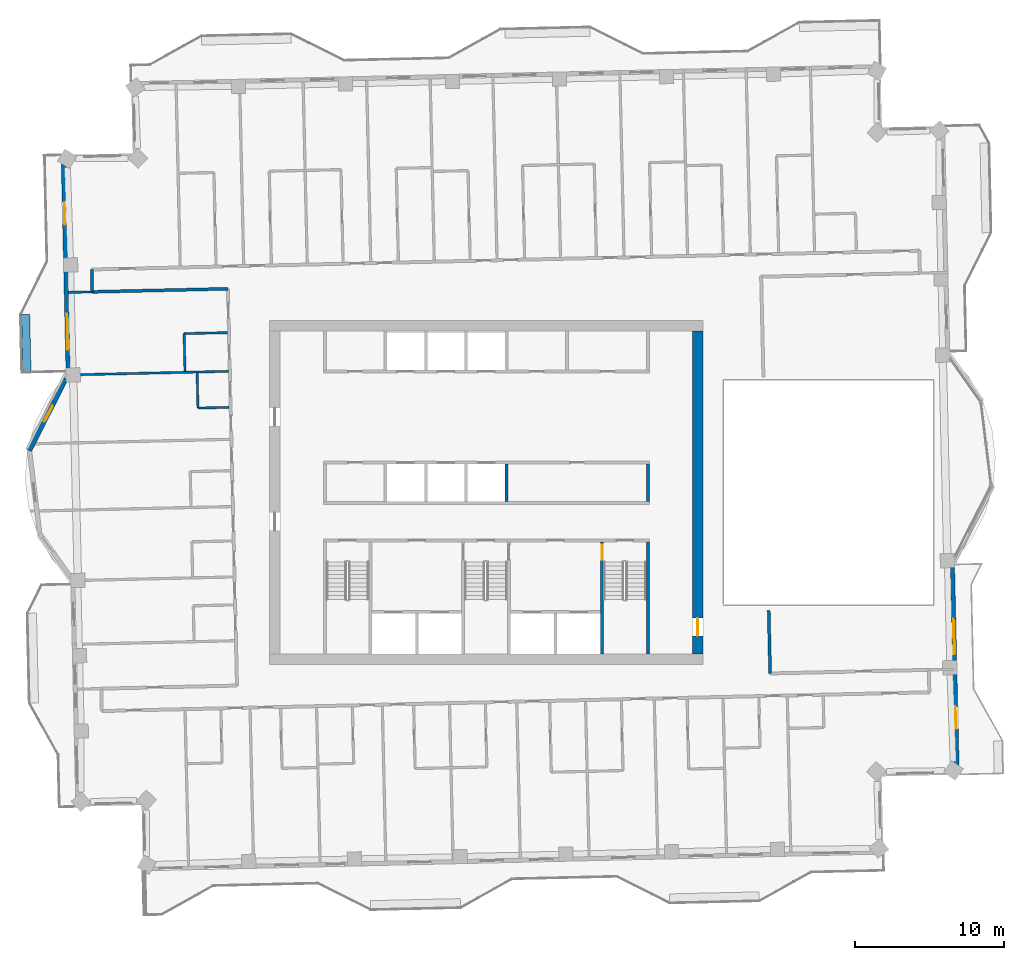
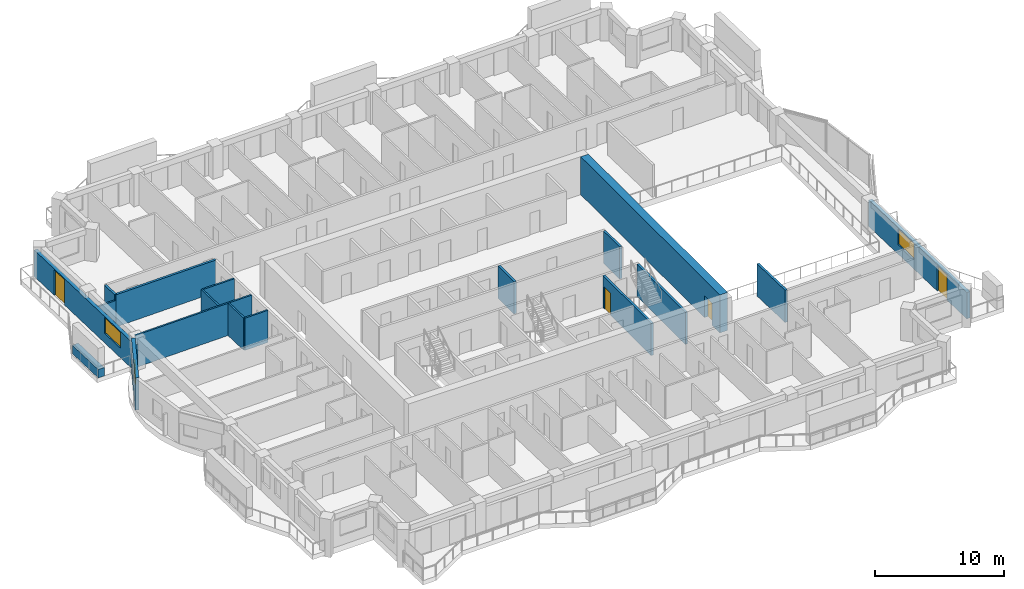
# One storey, part 12 of 20: 18 walls, 4 doors, 3 windows, 7 openings.
"""IFC4 building model written with IfcOpenShell, lengths in metres."""

from ifc_helpers import new_model, si_unit, direction, frame, frame_2d, origin, place, context, subcontext, project, spatial, rectangle, extrude, material, layer, layer_set, type_object, element, fill, save


model = new_model("IFC4")

# Units and contexts
model_context = context("Model", 3, precision=1e-05, world=origin(), true_north=direction((0.0, 1.0)))
body_context = subcontext(model_context, "Body", "Model", "MODEL_VIEW")
ifc_project = project(units=[si_unit("LENGTHUNIT", "METRE"), si_unit("AREAUNIT", "SQUARE_METRE"), si_unit("VOLUMEUNIT", "CUBIC_METRE"), si_unit("PLANEANGLEUNIT", "RADIAN"), si_unit("MASSUNIT", "GRAM", prefix="KILO")], contexts=[model_context])

# Site, building, storey
site_placement = place(None, origin())
site = spatial("IfcSite", under=ifc_project, at=site_placement, CompositionType="ELEMENT")
building_placement = place(site_placement, origin())
building = spatial("IfcBuilding", under=site, at=building_placement, Name="Mangrove Gate Tower", CompositionType="ELEMENT")
storey_placement = place(building_placement, frame((0.0, 0.0, 294.300048828125)))
storey = spatial("IfcBuildingStorey", under=building, at=storey_placement, Name="L75", CompositionType="ELEMENT", Elevation=294.300048828125)

# Walls
ifc_material_1 = material(Name="Concrete C32/40", Category="concrete")
ifc_layer_1 = layer(ifc_material_1, 0.199951171875)
ifc_layer_set_1 = layer_set([ifc_layer_1], Name="Core room wall 200 C32/40")
wall_type_1 = type_object("IfcWallType", Name="Core room wall 200 C32/40", PredefinedType="STANDARD", material=ifc_layer_set_1)
wall_1_placement = place(storey_placement, frame((10.800048828125, -0.60009765625, 0.0), z_axis=(0.0, 0.0, 1.0), x_axis=(0.0, 1.0, 0.0)))
element("IfcWall", 1, at=wall_1_placement, inside=storey, type_object=wall_type_1, Name="WALL-L75-CORE-24", PredefinedType="STANDARD", context=body_context, shape_type="SweptSolid", body=[
    extrude(rectangle(XDim=2.5, YDim=0.199951171875, at=frame_2d((1.25, 0.0))), origin(), (0.0, 0.0, 1.0), 3.050048828125),
])
ifc_material_2 = material(Name="Concrete C50/60", Category="concrete")
ifc_layer_2 = layer(ifc_material_2, 0.199951171875)
ifc_layer_set_2 = layer_set([ifc_layer_2], Name="Core shaft wall 200 C50/60")
wall_type_2 = type_object("IfcWallType", Name="Core shaft wall 200 C50/60", PredefinedType="SHEAR", material=ifc_layer_set_2)
wall_2_placement = place(storey_placement, frame((1.35009765625, -0.60009765625, 0.0), z_axis=(0.0, 0.0, 1.0), x_axis=(0.0, 1.0, 0.0)))
element("IfcWall", 2, at=wall_2_placement, inside=storey, type_object=wall_type_2, Name="WALL-L75-CORE-23", PredefinedType="SHEAR", context=body_context, shape_type="SweptSolid", body=[
    extrude(rectangle(XDim=2.5, YDim=0.199951171875, at=frame_2d((1.25, 0.0))), origin(), (0.0, 0.0, 1.0), 3.050048828125),
])

# Wall, opening, door
ifc_material_3 = material(Name="Concrete C50/60", Category="concrete")
ifc_layer_3 = layer(ifc_material_3, 0.199951171875)
ifc_layer_set_3 = layer_set([ifc_layer_3], Name="Core stair wall 200 C50/60")
wall_type_3 = type_object("IfcWallType", Name="Core stair wall 200 C50/60", PredefinedType="SHEAR", material=ifc_layer_set_3)
wall_3_placement = place(storey_placement, frame((7.75, -10.800048828125, 0.0), z_axis=(0.0, 0.0, 1.0), x_axis=(0.0, 1.0, 0.0)))
wall_3 = element("IfcWall", 3, at=wall_3_placement, inside=storey, type_object=wall_type_3, Name="WALL-L75-CORE-13", PredefinedType="SHEAR", context=body_context, shape_type="SweptSolid", body=[
    extrude(rectangle(XDim=7.5, YDim=0.199951171875, at=frame_2d((3.75, 0.0))), origin(), (0.0, 0.0, 1.0), 3.050048828125),
])
opening_1_placement = place(wall_3_placement, frame((6.300048828125, 0.0, 0.0)))
opening_1 = element("IfcOpeningElement", 4, at=opening_1_placement, cuts=wall_3, Name="Opening STD10", PredefinedType="OPENING", context=body_context, shape_type="SweptSolid", body=[
    extrude(rectangle(XDim=1.0, YDim=2.10009765625, at=frame_2d((0.5, 1.050048828125))), frame((0.0, 0.10986328125, 0.0), z_axis=(0.0, -1.0, 0.0), x_axis=(1.0, 0.0, 0.0)), (0.0, 0.0, 1.0), 0.219970703125),
])
ifc_material_4 = material(Name="Fire-rated steel door set", Category="steel")
door_type_1 = type_object("IfcDoorType", Name="Stair door FD60 1000x2100", OperationType="SINGLE_SWING_RIGHT", PredefinedType="DOOR", material=ifc_material_4)
door_1_placement = place(opening_1_placement, origin())
door_1 = element("IfcDoor", 5, at=door_1_placement, inside=storey, type_object=door_type_1, Name="Stair door Stair 3 from fire-fighting lobby", OperationType="SINGLE_SWING_RIGHT", OverallHeight=2.10009765625, OverallWidth=1.0, PredefinedType="DOOR", context=body_context, shape_type="SweptSolid", body=[
    extrude(rectangle(XDim=1.0, YDim=2.10009765625, at=frame_2d((0.5, 1.050048828125))), frame((0.0, 0.02490234375, 0.0), z_axis=(0.0, -1.0, 0.0), x_axis=(1.0, 0.0, 0.0)), (0.0, 0.0, 1.0), 0.050048828125),
])
fill(opening_1, door_1)

# Wall
wall_4_placement = place(storey_placement, frame((10.800048828125, -10.800048828125, 0.0), z_axis=(0.0, 0.0, 1.0), x_axis=(0.0, 1.0, 0.0)))
element("IfcWall", 6, at=wall_4_placement, inside=storey, type_object=wall_type_3, Name="WALL-L75-CORE-14", PredefinedType="SHEAR", context=body_context, shape_type="SweptSolid", body=[
    extrude(rectangle(XDim=7.5, YDim=0.199951171875, at=frame_2d((3.75, 0.0))), origin(), (0.0, 0.0, 1.0), 3.050048828125),
])

# Wall, opening, door
ifc_material_5 = material(Name="Concrete C50/60", Category="concrete")
ifc_layer_4 = layer(ifc_material_5, 0.699951171875)
ifc_layer_set_4 = layer_set([ifc_layer_4], Name="Core wall 700 C50/60")
wall_type_4 = type_object("IfcWallType", Name="Core wall 700 C50/60", PredefinedType="SHEAR", material=ifc_layer_set_4)
wall_5_placement = place(storey_placement, frame((14.14990234375, -10.800048828125, 0.0), z_axis=(0.0, 0.0, 1.0), x_axis=(0.0, 1.0, 0.0)))
wall_5 = element("IfcWall", 7, at=wall_5_placement, inside=storey, type_object=wall_type_4, Name="WALL-L75-CORE-4", PredefinedType="SHEAR", context=body_context, shape_type="SweptSolid", body=[
    extrude(rectangle(XDim=21.60009765625, YDim=0.699951171875, at=frame_2d((10.800048828125, 0.0))), origin(), (0.0, 0.0, 1.0), 3.599853515625),
])
opening_2_placement = place(wall_5_placement, frame((1.199951171875, 0.0, 0.0)))
opening_2 = element("IfcOpeningElement", 8, at=opening_2_placement, cuts=wall_5, Name="Opening CD", PredefinedType="OPENING", context=body_context, shape_type="SweptSolid", body=[
    extrude(rectangle(XDim=1.199951171875, YDim=2.10009765625, at=frame_2d((0.60009765625, 1.050048828125))), frame((0.0, 0.35986328125, 0.0), z_axis=(0.0, -1.0, 0.0), x_axis=(1.0, 0.0, 0.0)), (0.0, 0.0, 1.0), 0.719970703125),
])
ifc_material_6 = material(Name="Fire-rated steel door set", Category="steel")
door_type_2 = type_object("IfcDoorType", Name="Core ring door FD60 1200x2100", OperationType="DOUBLE_DOOR_SINGLE_SWING", PredefinedType="DOOR", material=ifc_material_6)
door_2_placement = place(opening_2_placement, origin())
door_2 = element("IfcDoor", 9, at=door_2_placement, inside=storey, type_object=door_type_2, Name="Core ring door E1", OperationType="DOUBLE_DOOR_SINGLE_SWING", OverallHeight=2.10009765625, OverallWidth=1.199951171875, PredefinedType="DOOR", context=body_context, shape_type="SweptSolid", body=[
    extrude(rectangle(XDim=1.199951171875, YDim=2.10009765625, at=frame_2d((0.60009765625, 1.050048828125))), frame((0.0, 0.02490234375, 0.0), z_axis=(0.0, -1.0, 0.0), x_axis=(1.0, 0.0, 0.0)), (0.0, 0.0, 1.0), 0.050048828125),
])
fill(opening_2, door_2)

# Walls
ifc_material_7 = material(Name="Gypsum board on steel stud, EI 60", Category="steel")
ifc_layer_5 = layer(ifc_material_7, 0.199951171875)
ifc_layer_set_5 = layer_set([ifc_layer_5], Name="Corridor wall EI 60")
wall_type_5 = type_object("IfcWallType", Name="Corridor wall EI 60", PredefinedType="PARTITIONING", material=ifc_layer_set_5)
wall_6_placement = place(storey_placement, frame((18.987060546875, -12.10888671875, 0.0), z_axis=(0.0, 0.0, 1.0), x_axis=(-0.022807092041, 0.999739884446, 0.0)))
element("IfcWall", 10, at=wall_6_placement, inside=storey, type_object=wall_type_5, Name="WALL-L75-036", PredefinedType="PARTITIONING", context=body_context, shape_type="SweptSolid", body=[
    extrude(rectangle(XDim=4.206787109375, YDim=0.199951171875, at=frame_2d((2.103515625, 0.0))), origin(), (0.0, 0.0, 1.0), 3.050048828125),
])
wall_7_placement = place(storey_placement, frame((-26.366943359375, 13.4189453125, 0.0), z_axis=(0.0, 0.0, 1.0), x_axis=(0.999742888587, 0.022675024131, 0.0)))
element("IfcWall", 11, at=wall_7_placement, inside=storey, type_object=wall_type_5, Name="WALL-L75-055", PredefinedType="PARTITIONING", context=body_context, shape_type="SweptSolid", body=[
    extrude(rectangle(XDim=9.08740234375, YDim=0.199951171875, at=frame_2d((4.543701171875, 0.0))), origin(), (0.0, 0.0, 1.0), 3.050048828125),
])
wall_8_placement = place(storey_placement, frame((-26.364013671875, 13.4189453125, 0.0), z_axis=(0.0, 0.0, 1.0), x_axis=(-0.022632637625, 0.99974384905, 0.0)))
element("IfcWall", 12, at=wall_8_placement, inside=storey, type_object=wall_type_5, Name="WALL-L75-056", PredefinedType="PARTITIONING", context=body_context, shape_type="SweptSolid", body=[
    extrude(rectangle(XDim=1.49951171875, YDim=0.199951171875, at=frame_2d((0.749755859375, 0.0))), origin(), (0.0, 0.0, 1.0), 3.050048828125),
])

# Wall, openings, door, window
ifc_material_8 = material(Name="Limestone", Category="masonry")
ifc_layer_6 = layer(ifc_material_8, 0.0400390625, Name="Limestone cladding")
ifc_material_9 = material(Name="Ventilated air gap")
ifc_layer_7 = layer(ifc_material_9, 0.0400390625, Name="Ventilated cavity")
ifc_material_10 = material(Name="Mineral wool insulation")
ifc_layer_8 = layer(ifc_material_10, 0.06005859375, Name="Insulation")
ifc_material_11 = material(Name="Breather membrane")
ifc_layer_9 = layer(ifc_material_11, 0.001953125, Name="Breather membrane")
ifc_material_12 = material(Name="Concrete C20/25 blockwork", Category="masonry")
ifc_layer_10 = layer(ifc_material_12, 0.14990234375, Name="Blockwork backing wall")
ifc_material_13 = material(Name="Gypsum plaster")
ifc_layer_11 = layer(ifc_material_13, 0.008056640625, Name="Internal plaster")
ifc_layer_set_6 = layer_set([ifc_layer_6, ifc_layer_7, ifc_layer_8, ifc_layer_9, ifc_layer_10, ifc_layer_11], Name="External wall 300 limestone cladding")
wall_type_6 = type_object("IfcWallType", Name="External wall 300 limestone cladding", PredefinedType="SOLIDWALL", material=ifc_layer_set_6)
wall_9_placement = place(storey_placement, frame((31.488037109375, -18.72705078125, 0.0), z_axis=(0.0, 0.0, 1.0), x_axis=(-0.022666132143, 0.999743090226, 0.0)))
wall_9 = element("IfcWall", 13, at=wall_9_placement, inside=storey, type_object=wall_type_6, Name="WALL-L75-E0s1", PredefinedType="SOLIDWALL", context=body_context, shape_type="SweptSolid", body=[
    extrude(rectangle(XDim=14.648681640625, YDim=0.300048828125, at=frame_2d((7.32421875, 0.0))), origin(), (0.0, 0.0, 1.0), 2.5),
])
opening_3_placement = place(wall_9_placement, frame((2.9150390625, 0.0, 0.0)))
opening_3 = element("IfcOpeningElement", 14, at=opening_3_placement, cuts=wall_9, Name="Opening BD1", PredefinedType="OPENING", context=body_context, shape_type="SweptSolid", body=[
    extrude(rectangle(XDim=1.5, YDim=2.39990234375, at=frame_2d((0.75, 1.199951171875))), frame((0.0, 0.159912109375, 0.0), z_axis=(0.0, -1.0, 0.0), x_axis=(1.0, 0.0, 0.0)), (0.0, 0.0, 1.0), 0.320068359375),
])
opening_4_placement = place(wall_9_placement, frame((7.89501953125, 0.0, 0.89990234375)))
opening_4 = element("IfcOpeningElement", 15, at=opening_4_placement, cuts=wall_9, Name="Opening W2", PredefinedType="OPENING", context=body_context, shape_type="SweptSolid", body=[
    extrude(rectangle(XDim=2.39990234375, YDim=1.5, at=frame_2d((1.199951171875, 0.75))), frame((0.0, 0.159912109375, 0.0), z_axis=(0.0, -1.0, 0.0), x_axis=(1.0, 0.0, 0.0)), (0.0, 0.0, 1.0), 0.320068359375),
])
ifc_material_14 = material(Name="Aluminium frame with laminated clear glass", Category="aluminium")
door_type_3 = type_object("IfcDoorType", Name="Balcony sliding door 1500x2400", OperationType="SLIDING_TO_LEFT", PredefinedType="DOOR", material=ifc_material_14)
door_3_placement = place(opening_3_placement, origin())
door_3 = element("IfcDoor", 16, at=door_3_placement, inside=storey, type_object=door_type_3, Name="DOOR-L75-E0-1", OperationType="SLIDING_TO_LEFT", OverallHeight=2.39990234375, OverallWidth=1.5, PredefinedType="DOOR", context=body_context, shape_type="SweptSolid", body=[
    extrude(rectangle(XDim=1.5, YDim=2.39990234375, at=frame_2d((0.75, 1.199951171875))), frame((0.0, 0.02490234375, 0.0), z_axis=(0.0, -1.0, 0.0), x_axis=(1.0, 0.0, 0.0)), (0.0, 0.0, 1.0), 0.050048828125),
])
fill(opening_3, door_3)
ifc_material_15 = material(Name="Aluminium frame with double-glazed low-e glass", Category="aluminium")
window_type_1 = type_object("IfcWindowType", Name="Corner room window 2400x1500", PartitioningType="DOUBLE_PANEL_VERTICAL", PredefinedType="WINDOW", material=ifc_material_15)
window_1_placement = place(opening_4_placement, origin())
window_1 = element("IfcWindow", 17, at=window_1_placement, inside=storey, type_object=window_type_1, Name="WIN-L75-E0-2", OverallHeight=1.5, OverallWidth=2.39990234375, PartitioningType="DOUBLE_PANEL_VERTICAL", PredefinedType="WINDOW", context=body_context, shape_type="SweptSolid", body=[
    extrude(rectangle(XDim=2.39990234375, YDim=1.5, at=frame_2d((1.199951171875, 0.75))), frame((0.0, 0.030029296875, 0.0), z_axis=(0.0, -1.0, 0.0), x_axis=(1.0, 0.0, 0.0)), (0.0, 0.0, 1.0), 0.06005859375),
])
fill(opening_4, window_1)

wall_10_placement = place(storey_placement, frame((-28.297119140625, 22.427001953125, 0.0), z_axis=(0.0, 0.0, 1.0), x_axis=(0.022663916124, -0.999743140465, 0.0)))
wall_10 = element("IfcWall", 18, at=wall_10_placement, inside=storey, type_object=wall_type_6, Name="WALL-L75-W8s1", PredefinedType="SOLIDWALL", context=body_context, shape_type="SweptSolid", body=[
    extrude(rectangle(XDim=15.048828125, YDim=0.300048828125, at=frame_2d((7.5244140625, 0.0))), origin(), (0.0, 0.0, 1.0), 2.5),
])
opening_5_placement = place(wall_10_placement, frame((3.001953125, 0.0, 0.0)))
opening_5 = element("IfcOpeningElement", 19, at=opening_5_placement, cuts=wall_10, Name="Opening BD1", PredefinedType="OPENING", context=body_context, shape_type="SweptSolid", body=[
    extrude(rectangle(XDim=1.5, YDim=2.39990234375, at=frame_2d((0.75, 1.199951171875))), frame((0.0, 0.159912109375, 0.0), z_axis=(0.0, -1.0, 0.0), x_axis=(1.0, 0.0, 0.0)), (0.0, 0.0, 1.0), 0.320068359375),
])
opening_6_placement = place(wall_10_placement, frame((10.47509765625, 0.0, 0.89990234375)))
opening_6 = element("IfcOpeningElement", 20, at=opening_6_placement, cuts=wall_10, Name="Opening W2", PredefinedType="OPENING", context=body_context, shape_type="SweptSolid", body=[
    extrude(rectangle(XDim=2.39990234375, YDim=1.5, at=frame_2d((1.199951171875, 0.75))), frame((0.0, 0.159912109375, 0.0), z_axis=(0.0, -1.0, 0.0), x_axis=(1.0, 0.0, 0.0)), (0.0, 0.0, 1.0), 0.320068359375),
])
door_4_placement = place(opening_5_placement, origin())
door_4 = element("IfcDoor", 21, at=door_4_placement, inside=storey, type_object=door_type_3, Name="DOOR-L75-W8-1", OperationType="SLIDING_TO_LEFT", OverallHeight=2.39990234375, OverallWidth=1.5, PredefinedType="DOOR", context=body_context, shape_type="SweptSolid", body=[
    extrude(rectangle(XDim=1.5, YDim=2.39990234375, at=frame_2d((0.75, 1.199951171875))), frame((0.0, 0.02490234375, 0.0), z_axis=(0.0, -1.0, 0.0), x_axis=(1.0, 0.0, 0.0)), (0.0, 0.0, 1.0), 0.050048828125),
])
fill(opening_5, door_4)
window_2_placement = place(opening_6_placement, origin())
window_2 = element("IfcWindow", 22, at=window_2_placement, inside=storey, type_object=window_type_1, Name="WIN-L75-W8-2", OverallHeight=1.5, OverallWidth=2.39990234375, PartitioningType="DOUBLE_PANEL_VERTICAL", PredefinedType="WINDOW", context=body_context, shape_type="SweptSolid", body=[
    extrude(rectangle(XDim=2.39990234375, YDim=1.5, at=frame_2d((1.199951171875, 0.75))), frame((0.0, 0.030029296875, 0.0), z_axis=(0.0, -1.0, 0.0), x_axis=(1.0, 0.0, 0.0)), (0.0, 0.0, 1.0), 0.06005859375),
])
fill(opening_6, window_2)

# Wall, opening, window
wall_11_placement = place(storey_placement, frame((-28.1201171875, 7.60791015625, 0.0), z_axis=(0.0, 0.0, 1.0), x_axis=(-0.45266802131, -0.891679125293, 0.0)))
wall_11 = element("IfcWall", 23, at=wall_11_placement, inside=storey, type_object=wall_type_6, Name="WALL-L75-W9f1", PredefinedType="SOLIDWALL", context=body_context, shape_type="SweptSolid", body=[
    extrude(rectangle(XDim=5.398681640625, YDim=0.300048828125, at=frame_2d((2.69921875, 0.0))), origin(), (0.0, 0.0, 1.0), 3.050048828125),
])
opening_7_placement = place(wall_11_placement, frame((2.008056640625, 0.0, 0.89990234375)))
opening_7 = element("IfcOpeningElement", 24, at=opening_7_placement, cuts=wall_11, Name="Opening W1", PredefinedType="OPENING", context=body_context, shape_type="SweptSolid", body=[
    extrude(rectangle(XDim=1.199951171875, YDim=1.5, at=frame_2d((0.60009765625, 0.75))), frame((0.0, 0.159912109375, 0.0), z_axis=(0.0, -1.0, 0.0), x_axis=(1.0, 0.0, 0.0)), (0.0, 0.0, 1.0), 0.320068359375),
])
ifc_material_16 = material(Name="Aluminium frame with double-glazed low-e glass", Category="aluminium")
window_type_2 = type_object("IfcWindowType", Name="Side lite 1200x1500", PartitioningType="SINGLE_PANEL", PredefinedType="WINDOW", material=ifc_material_16)
window_3_placement = place(opening_7_placement, origin())
window_3 = element("IfcWindow", 25, at=window_3_placement, inside=storey, type_object=window_type_2, Name="WIN-L75-W9f1", OverallHeight=1.5, OverallWidth=1.199951171875, PartitioningType="SINGLE_PANEL", PredefinedType="WINDOW", context=body_context, shape_type="SweptSolid", body=[
    extrude(rectangle(XDim=1.199951171875, YDim=1.5, at=frame_2d((0.60009765625, 0.75))), frame((0.0, 0.030029296875, 0.0), z_axis=(0.0, -1.0, 0.0), x_axis=(1.0, 0.0, 0.0)), (0.0, 0.0, 1.0), 0.06005859375),
])
fill(opening_7, window_3)

# Walls
ifc_material_17 = material(Name="Gypsum board on steel stud, EI 60", Category="steel")
ifc_layer_12 = layer(ifc_material_17, 0.14990234375)
ifc_layer_set_7 = layer_set([ifc_layer_12], Name="Party wall 150 EI 60")
wall_type_7 = type_object("IfcWallType", Name="Party wall 150 EI 60", PredefinedType="PARTITIONING", material=ifc_layer_set_7)
wall_12_placement = place(storey_placement, frame((-19.301025390625, 5.64697265625, 0.0), z_axis=(0.0, 0.0, 1.0), x_axis=(0.999748159451, 0.022441427631, 0.0)))
element("IfcWall", 26, at=wall_12_placement, inside=storey, type_object=wall_type_7, Name="WALL-L75-048", PredefinedType="PARTITIONING", context=body_context, shape_type="SweptSolid", body=[
    extrude(rectangle(XDim=2.099609375, YDim=0.14990234375, at=frame_2d((1.0498046875, 0.0))), origin(), (0.0, 0.0, 1.0), 3.050048828125),
])
wall_13_placement = place(storey_placement, frame((-19.2958984375, 5.652099609375, 0.0), z_axis=(0.0, 0.0, 1.0), x_axis=(-0.022895561926, 0.999737862264, 0.0)))
element("IfcWall", 27, at=wall_13_placement, inside=storey, type_object=wall_type_7, Name="WALL-L75-049", PredefinedType="PARTITIONING", context=body_context, shape_type="SweptSolid", body=[
    extrude(rectangle(XDim=2.324462890625, YDim=0.14990234375, at=frame_2d((1.162109375, 0.0))), origin(), (0.0, 0.0, 1.0), 3.050048828125),
])
wall_14_placement = place(storey_placement, frame((-20.162109375, 8.10791015625, 0.0), z_axis=(0.0, 0.0, 1.0), x_axis=(-0.022530308093, 0.999746160391, 0.0)))
element("IfcWall", 28, at=wall_14_placement, inside=storey, type_object=wall_type_7, Name="WALL-L75-051", PredefinedType="PARTITIONING", context=body_context, shape_type="SweptSolid", body=[
    extrude(rectangle(XDim=2.52490234375, YDim=0.14990234375, at=frame_2d((1.262451171875, 0.0))), origin(), (0.0, 0.0, 1.0), 3.050048828125),
])
wall_15_placement = place(storey_placement, frame((-27.81689453125, 7.864013671875, 0.0), z_axis=(0.0, 0.0, 1.0), x_axis=(0.9997418952, 0.022718780382, 0.0)))
element("IfcWall", 29, at=wall_15_placement, inside=storey, type_object=wall_type_7, Name="WALL-L75-052", PredefinedType="PARTITIONING", context=body_context, shape_type="SweptSolid", body=[
    extrude(rectangle(XDim=10.5634765625, YDim=0.14990234375, at=frame_2d((5.28173828125, 0.0))), origin(), (0.0, 0.0, 1.0), 3.050048828125),
])
wall_16_placement = place(storey_placement, frame((-20.214111328125, 10.626953125, 0.0), z_axis=(0.0, 0.0, 1.0), x_axis=(0.999739701447, 0.022815112345, 0.0)))
element("IfcWall", 30, at=wall_16_placement, inside=storey, type_object=wall_type_7, Name="WALL-L75-053", PredefinedType="PARTITIONING", context=body_context, shape_type="SweptSolid", body=[
    extrude(rectangle(XDim=2.89990234375, YDim=0.14990234375, at=frame_2d((1.449951171875, 0.0))), origin(), (0.0, 0.0, 1.0), 3.050048828125),
])
wall_17_placement = place(storey_placement, frame((-27.94189453125, 13.383056640625, 0.0), z_axis=(0.0, 0.0, 1.0), x_axis=(0.999741755729, 0.022724916977, 0.0)))
element("IfcWall", 31, at=wall_17_placement, inside=storey, type_object=wall_type_7, Name="WALL-L75-054", PredefinedType="PARTITIONING", context=body_context, shape_type="SweptSolid", body=[
    extrude(rectangle(XDim=1.579345703125, YDim=0.14990234375, at=frame_2d((0.78955078125, 0.0))), origin(), (0.0, 0.0, 1.0), 2.5),
])
ifc_material_18 = material(Name="Concrete C32/40", Category="concrete")
ifc_layer_13 = layer(ifc_material_18, 0.199951171875, Name="Planter trough wall")
ifc_material_19 = material(Name="Bituminous waterproofing membrane")
ifc_layer_14 = layer(ifc_material_19, 0.0048828125, Name="Waterproofing")
ifc_material_20 = material(Name="Drainage board and gravel")
ifc_layer_15 = layer(ifc_material_20, 0.044921875, Name="Drainage layer")
ifc_material_21 = material(Name="Planting soil")
ifc_layer_16 = layer(ifc_material_21, 0.300048828125, Name="Growing medium")
ifc_layer_set_8 = layer_set([ifc_layer_13, ifc_layer_14, ifc_layer_15, ifc_layer_16], Name="Planter wall 550 C32/40")
wall_type_8 = type_object("IfcWallType", Name="Planter wall 550 C32/40", PredefinedType="USERDEFINED", material=ifc_layer_set_8)
wall_18_placement = place(storey_placement, frame((-30.736083984375, 8.04296875, 0.0), z_axis=(0.0, 0.0, 1.0), x_axis=(-0.022681332769, 0.999742745482, 0.0)))
element("IfcWall", 32, at=wall_18_placement, inside=storey, type_object=wall_type_8, Name="PLANTER L75 W0.1", ObjectType="PLANTER", PredefinedType="USERDEFINED", context=body_context, shape_type="SweptSolid", body=[
    extrude(rectangle(XDim=3.875, YDim=0.550048828125, at=frame_2d((1.9375, 0.0))), origin(), (0.0, 0.0, 1.0), 0.800048828125),
])

save(model, "model.ifc")
